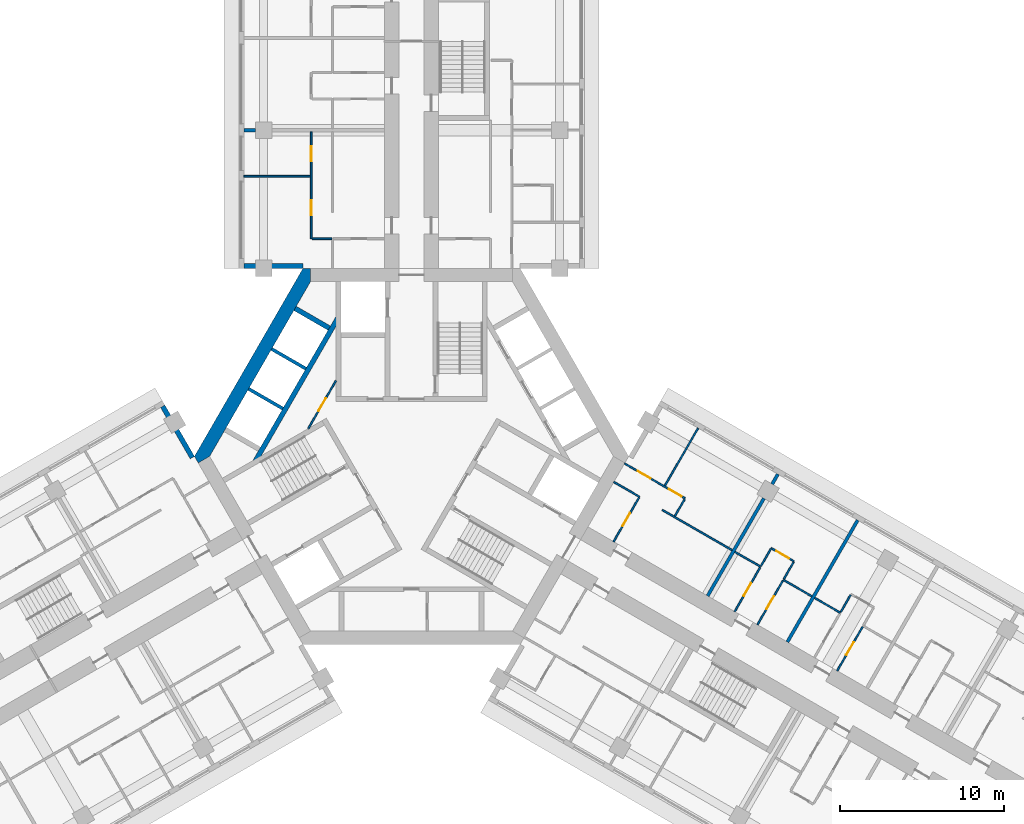
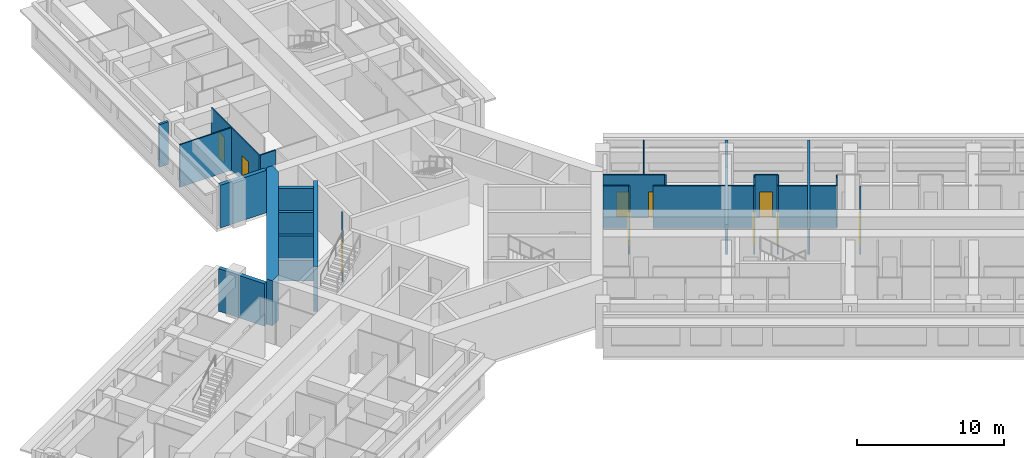
# One storey, part 7 of 14: 31 walls, 10 doors, 10 openings.
"""IFC4 building model written with IfcOpenShell, lengths in metres."""

from ifc_helpers import new_model, si_unit, direction, frame, frame_2d, origin, place, context, subcontext, project, spatial, polyline, rectangle, outline, extrude, material, layer, layer_set, type_object, element, fill, save


model = new_model("IFC4")

# Units and contexts
model_context = context("Model", 3, precision=1e-05, world=origin(), true_north=direction((0.0, 1.0)))
body_context = subcontext(model_context, "Body", "Model", "MODEL_VIEW")
ifc_project = project(units=[si_unit("LENGTHUNIT", "METRE"), si_unit("AREAUNIT", "SQUARE_METRE"), si_unit("VOLUMEUNIT", "CUBIC_METRE"), si_unit("PLANEANGLEUNIT", "RADIAN"), si_unit("MASSUNIT", "GRAM", prefix="KILO")], contexts=[model_context])

# Site, building, storey
site_placement = place(None, origin())
site = spatial("IfcSite", under=ifc_project, at=site_placement, CompositionType="ELEMENT")
building_placement = place(site_placement, origin())
building = spatial("IfcBuilding", under=site, at=building_placement, Name="Impinga Residences", CompositionType="ELEMENT")
storey_placement = place(building_placement, frame((0.0, 0.0, 143.5)))
storey = spatial("IfcBuildingStorey", under=building, at=storey_placement, Name="L35", CompositionType="ELEMENT", Elevation=143.5)

# Wall, opening, door
ifc_material_1 = material(Name="Concrete blockwork", Category="masonry")
ifc_layer_1 = layer(ifc_material_1, 0.10009765625)
ifc_layer_set_1 = layer_set([ifc_layer_1], Name="CP1 core room partition, blockwork 100")
wall_type_1 = type_object("IfcWallType", Name="CP1 core room partition, blockwork 100", PredefinedType="PARTITIONING", material=ifc_layer_set_1)
wall_1_placement = place(storey_placement, frame((-6.280029296875, 1.685791015625, 0.0), z_axis=(0.0, 0.0, 1.0), x_axis=(0.499976138585, 0.866039179741, 0.0)))
wall_1 = element("IfcWall", 1, at=wall_1_placement, inside=storey, type_object=wall_type_1, Name="Core room partition, blockwork L35:CORE:high:FP", PredefinedType="PARTITIONING", context=body_context, shape_type="SweptSolid", body=[
    extrude(rectangle(XDim=3.360107421875, YDim=0.10009765625, at=frame_2d((1.68017578125, 0.0))), origin(), (0.0, 0.0, 1.0), 3.530029296875),
])
opening_1_placement = place(wall_1_placement, frame((1.22998046875, 0.0, 0.0)))
opening_1 = element("IfcOpeningElement", 2, at=opening_1_placement, cuts=wall_1, Name="Opening D6", PredefinedType="OPENING", context=body_context, shape_type="SweptSolid", body=[
    extrude(rectangle(XDim=0.89990234375, YDim=2.10009765625, at=frame_2d((0.449951171875, 1.050048828125))), frame((0.0, 0.06005859375, 0.0), z_axis=(0.0, -1.0, 0.0), x_axis=(1.0, 0.0, 0.0)), (0.0, 0.0, 1.0), 0.1201171875),
])
ifc_material_2 = material(Name="Timber door set", Category="wood")
door_type_1 = type_object("IfcDoorType", Name="D6 riser and store door 900x2100", OperationType="SINGLE_SWING_LEFT", PredefinedType="DOOR", material=ifc_material_2)
door_1_placement = place(opening_1_placement, origin())
door_1 = element("IfcDoor", 3, at=door_1_placement, inside=storey, type_object=door_type_1, Name="Vending and ice room door", OperationType="SINGLE_SWING_RIGHT", OverallHeight=2.10009765625, OverallWidth=0.89990234375, PredefinedType="DOOR", context=body_context, shape_type="SweptSolid", body=[
    extrude(rectangle(XDim=0.89990234375, YDim=2.10009765625, at=frame_2d((0.449951171875, 1.050048828125))), frame((0.0, 0.02490234375, 0.0), z_axis=(0.0, -1.0, 0.0), x_axis=(1.0, 0.0, 0.0)), (0.0, 0.0, 1.0), 0.050048828125),
])
fill(opening_1, door_1)

# Walls
ifc_material_3 = material(Name="Terracotta rainscreen on blockwork", Category="masonry")
ifc_layer_2 = layer(ifc_material_3, 0.300048828125)
ifc_layer_set_2 = layer_set([ifc_layer_2], Name="EW1 external wall, terracotta rainscreen on blockwork 300")
wall_type_2 = type_object("IfcWallType", Name="EW1 external wall, terracotta rainscreen on blockwork 300", PredefinedType="SOLIDWALL", material=ifc_layer_set_2)
wall_2_placement = place(storey_placement, frame((-15.1298828125, 3.042724609375, 0.0), z_axis=(0.0, 0.0, 1.0), x_axis=(0.500012057535, -0.866018442252, 0.0)))
element("IfcWall", 4, at=wall_2_placement, inside=storey, type_object=wall_type_2, Name="External wall EW1 L35", PredefinedType="SOLIDWALL", context=body_context, shape_type="SweptSolid", body=[
    extrude(rectangle(XDim=3.60009765625, YDim=0.300048828125, at=frame_2d((1.800048828125, 0.0))), origin(), (0.0, 0.0, 1.0), 3.530029296875),
])
wall_3_placement = place(storey_placement, frame((-6.60009765625, 11.58154296875, 0.0), z_axis=(0.0, 0.0, 1.0), x_axis=(-1.0, 0.0, 0.0)))
element("IfcWall", 5, at=wall_3_placement, inside=storey, type_object=wall_type_2, Name="External wall EW1 L35", PredefinedType="SOLIDWALL", context=body_context, shape_type="SweptSolid", body=[
    extrude(rectangle(XDim=3.599853515625, YDim=0.300048828125, at=frame_2d((1.7998046875, 0.0))), origin(), (0.0, 0.0, 1.0), 3.530029296875),
])

# Wall, openings, doors
ifc_material_4 = material(Name="Gypsum board on steel studs", Category="steel")
ifc_layer_3 = layer(ifc_material_4, 0.10009765625)
ifc_layer_set_3 = layer_set([ifc_layer_3], Name="Gypsum board on steel studs")
wall_type_3 = type_object("IfcWallType", Name="IP1 partition 100", PredefinedType="PARTITIONING", material=ifc_layer_set_3)
wall_4_placement = place(storey_placement, frame((-6.10009765625, 13.2314453125, 0.0), z_axis=(0.0, 0.0, 1.0), x_axis=(0.0, 1.0, 0.0)))
wall_4 = element("IfcWall", 6, at=wall_4_placement, inside=storey, type_object=wall_type_3, Name="Partition L35-NA1:STRIP", PredefinedType="PARTITIONING", context=body_context, shape_type="SweptSolid", body=[
    extrude(rectangle(XDim=6.5, YDim=0.10009765625, at=frame_2d((3.25, 0.0))), origin(), (0.0, 0.0, 1.0), 3.530029296875),
])
opening_2_placement = place(wall_4_placement, frame((1.425048828125, 0.0, 0.0)))
opening_2 = element("IfcOpeningElement", 7, at=opening_2_placement, cuts=wall_4, Name="Opening D2", PredefinedType="OPENING", context=body_context, shape_type="SweptSolid", body=[
    extrude(rectangle(XDim=0.89990234375, YDim=2.10009765625, at=frame_2d((0.449951171875, 1.050048828125))), frame((0.0, 0.06005859375, 0.0), z_axis=(0.0, -1.0, 0.0), x_axis=(1.0, 0.0, 0.0)), (0.0, 0.0, 1.0), 0.1201171875),
])
opening_3_placement = place(wall_4_placement, frame((4.72509765625, 0.0, 0.0)))
opening_3 = element("IfcOpeningElement", 8, at=opening_3_placement, cuts=wall_4, Name="Opening D2", PredefinedType="OPENING", context=body_context, shape_type="SweptSolid", body=[
    extrude(rectangle(XDim=0.89990234375, YDim=2.10009765625, at=frame_2d((0.449951171875, 1.050048828125))), frame((0.0, 0.06005859375, 0.0), z_axis=(0.0, -1.0, 0.0), x_axis=(1.0, 0.0, 0.0)), (0.0, 0.0, 1.0), 0.1201171875),
])
door_type_2 = type_object("IfcDoorType", Name="D2 internal door 900x2100", OperationType="SINGLE_SWING_LEFT", PredefinedType="DOOR", material=ifc_material_2)
door_2_placement = place(opening_2_placement, origin())
door_2 = element("IfcDoor", 9, at=door_2_placement, inside=storey, type_object=door_type_2, Name="Apartment L35-NA1 room door", OperationType="SINGLE_SWING_LEFT", OverallHeight=2.10009765625, OverallWidth=0.89990234375, PredefinedType="DOOR", context=body_context, shape_type="SweptSolid", body=[
    extrude(rectangle(XDim=0.89990234375, YDim=2.10009765625, at=frame_2d((0.449951171875, 1.050048828125))), frame((0.0, 0.02490234375, 0.0), z_axis=(0.0, -1.0, 0.0), x_axis=(1.0, 0.0, 0.0)), (0.0, 0.0, 1.0), 0.050048828125),
])
fill(opening_2, door_2)
door_3_placement = place(opening_3_placement, origin())
door_3 = element("IfcDoor", 10, at=door_3_placement, inside=storey, type_object=door_type_2, Name="Apartment L35-NA1 room door", OperationType="SINGLE_SWING_RIGHT", OverallHeight=2.10009765625, OverallWidth=0.89990234375, PredefinedType="DOOR", context=body_context, shape_type="SweptSolid", body=[
    extrude(rectangle(XDim=0.89990234375, YDim=2.10009765625, at=frame_2d((0.449951171875, 1.050048828125))), frame((0.0, 0.02490234375, 0.0), z_axis=(0.0, -1.0, 0.0), x_axis=(1.0, 0.0, 0.0)), (0.0, 0.0, 1.0), 0.050048828125),
])
fill(opening_3, door_3)

# Walls
wall_5_placement = place(storey_placement, frame((-4.85009765625, 13.2314453125, 0.0), z_axis=(0.0, 0.0, 1.0), x_axis=(-1.0, 0.0, 0.0)))
element("IfcWall", 11, at=wall_5_placement, inside=storey, type_object=wall_type_3, Name="Partition L35-NA1:SE0", PredefinedType="PARTITIONING", context=body_context, shape_type="SweptSolid", body=[
    extrude(rectangle(XDim=1.199951171875, YDim=0.10009765625, at=frame_2d((0.60009765625, 0.0))), origin(), (0.0, 0.0, 1.0), 3.530029296875),
])
wall_6_placement = place(storey_placement, frame((-6.14990234375, 17.031494140625, 0.0), z_axis=(0.0, 0.0, 1.0), x_axis=(-1.0, 0.0, 0.0)))
element("IfcWall", 12, at=wall_6_placement, inside=storey, type_object=wall_type_3, Name="Partition L35-NA1:OB1", PredefinedType="PARTITIONING", context=body_context, shape_type="SweptSolid", body=[
    extrude(rectangle(XDim=4.050048828125, YDim=0.10009765625, at=frame_2d((2.02490234375, 0.0))), origin(), (0.0, 0.0, 1.0), 3.530029296875),
])
wall_7_placement = place(storey_placement, frame((12.300048828125, -1.558837890625, 0.0), z_axis=(0.0, 0.0, 1.0), x_axis=(0.866047807691, -0.499961193289, 0.0)))
element("IfcWall", 13, at=wall_7_placement, inside=storey, type_object=wall_type_3, Name="Partition L35-EA1:DIV0", PredefinedType="PARTITIONING", context=body_context, shape_type="SweptSolid", body=[
    extrude(rectangle(XDim=1.800048828125, YDim=0.10009765625, at=frame_2d((0.89990234375, 0.0))), origin(), (0.0, 0.0, 1.0), 3.530029296875),
])
wall_8_placement = place(storey_placement, frame((15.244384765625, -3.2587890625, 0.0), z_axis=(0.0, 0.0, 1.0), x_axis=(0.866036242063, -0.49998122708, 0.0)))
element("IfcWall", 14, at=wall_8_placement, inside=storey, type_object=wall_type_3, Name="Partition L35-EA1:DIV1", PredefinedType="PARTITIONING", context=body_context, shape_type="SweptSolid", body=[
    extrude(rectangle(XDim=4.900146484375, YDim=0.10009765625, at=frame_2d((2.4501953125, 0.0))), origin(), (0.0, 0.0, 1.0), 3.530029296875),
])

# Wall, openings, doors
wall_9_placement = place(storey_placement, frame((12.949951171875, -0.43310546875, 0.0), z_axis=(0.0, 0.0, 1.0), x_axis=(0.866028703517, -0.499994284652, 0.0)))
wall_9 = element("IfcWall", 15, at=wall_9_placement, inside=storey, type_object=wall_type_3, Name="Partition L35-EA1:STRIP", PredefinedType="PARTITIONING", context=body_context, shape_type="SweptSolid", body=[
    extrude(rectangle(XDim=4.25, YDim=0.10009765625, at=frame_2d((2.125, 0.0))), origin(), (0.0, 0.0, 1.0), 3.530029296875),
])
opening_4_placement = place(wall_9_placement, frame((0.925048828125, 0.0, 0.0)))
opening_4 = element("IfcOpeningElement", 16, at=opening_4_placement, cuts=wall_9, Name="Opening D2", PredefinedType="OPENING", context=body_context, shape_type="SweptSolid", body=[
    extrude(rectangle(XDim=0.89990234375, YDim=2.10009765625, at=frame_2d((0.449951171875, 1.050048828125))), frame((0.0, 0.06005859375, 0.0), z_axis=(0.0, -1.0, 0.0), x_axis=(1.0, 0.0, 0.0)), (0.0, 0.0, 1.0), 0.1201171875),
])
opening_5_placement = place(wall_9_placement, frame((3.10009765625, 0.0, 0.0)))
opening_5 = element("IfcOpeningElement", 17, at=opening_5_placement, cuts=wall_9, Name="Opening D2", PredefinedType="OPENING", context=body_context, shape_type="SweptSolid", body=[
    extrude(rectangle(XDim=0.89990234375, YDim=2.10009765625, at=frame_2d((0.449951171875, 1.050048828125))), frame((0.0, 0.06005859375, 0.0), z_axis=(0.0, -1.0, 0.0), x_axis=(1.0, 0.0, 0.0)), (0.0, 0.0, 1.0), 0.1201171875),
])
door_4_placement = place(opening_4_placement, origin())
door_4 = element("IfcDoor", 18, at=door_4_placement, inside=storey, type_object=door_type_2, Name="Apartment L35-EA1 room door", OperationType="SINGLE_SWING_LEFT", OverallHeight=2.10009765625, OverallWidth=0.89990234375, PredefinedType="DOOR", context=body_context, shape_type="SweptSolid", body=[
    extrude(rectangle(XDim=0.89990234375, YDim=2.10009765625, at=frame_2d((0.449951171875, 1.050048828125))), frame((0.0, 0.02490234375, 0.0), z_axis=(0.0, -1.0, 0.0), x_axis=(1.0, 0.0, 0.0)), (0.0, 0.0, 1.0), 0.050048828125),
])
fill(opening_4, door_4)
door_5_placement = place(opening_5_placement, origin())
door_5 = element("IfcDoor", 19, at=door_5_placement, inside=storey, type_object=door_type_2, Name="Apartment L35-EA1 room door", OperationType="SINGLE_SWING_RIGHT", OverallHeight=2.10009765625, OverallWidth=0.89990234375, PredefinedType="DOOR", context=body_context, shape_type="SweptSolid", body=[
    extrude(rectangle(XDim=0.89990234375, YDim=2.10009765625, at=frame_2d((0.449951171875, 1.050048828125))), frame((0.0, 0.02490234375, 0.0), z_axis=(0.0, -1.0, 0.0), x_axis=(1.0, 0.0, 0.0)), (0.0, 0.0, 1.0), 0.050048828125),
])
fill(opening_5, door_5)

# Wall
wall_10_placement = place(storey_placement, frame((16.005615234375, -3.640625, 0.0), z_axis=(0.0, 0.0, 1.0), x_axis=(0.500033551112, 0.866006032174, 0.0)))
element("IfcWall", 20, at=wall_10_placement, inside=storey, type_object=wall_type_3, Name="Partition L35-EA1:SE1", PredefinedType="PARTITIONING", context=body_context, shape_type="SweptSolid", body=[
    extrude(rectangle(XDim=1.2001953125, YDim=0.10009765625, at=frame_2d((0.60009765625, 0.0))), origin(), (0.0, 0.0, 1.0), 3.530029296875),
])

# Wall, opening, door
wall_11_placement = place(storey_placement, frame((12.283935546875, -5.186767578125, 0.0), z_axis=(0.0, 0.0, 1.0), x_axis=(0.499967891604, 0.866043940782, 0.0)))
wall_11 = element("IfcWall", 21, at=wall_11_placement, inside=storey, type_object=wall_type_3, Name="Partition L35-EA1:IB1", PredefinedType="PARTITIONING", context=body_context, shape_type="SweptSolid", body=[
    extrude(rectangle(XDim=3.099853515625, YDim=0.10009765625, at=frame_2d((1.5498046875, 0.0))), origin(), (0.0, 0.0, 1.0), 3.530029296875),
])
opening_6_placement = place(wall_11_placement, frame((1.10009765625, 0.0, 0.0)))
opening_6 = element("IfcOpeningElement", 22, at=opening_6_placement, cuts=wall_11, Name="Opening D2", PredefinedType="OPENING", context=body_context, shape_type="SweptSolid", body=[
    extrude(rectangle(XDim=0.89990234375, YDim=2.10009765625, at=frame_2d((0.449951171875, 1.050048828125))), frame((0.0, 0.06005859375, 0.0), z_axis=(0.0, -1.0, 0.0), x_axis=(1.0, 0.0, 0.0)), (0.0, 0.0, 1.0), 0.1201171875),
])
door_6_placement = place(opening_6_placement, origin())
door_6 = element("IfcDoor", 23, at=door_6_placement, inside=storey, type_object=door_type_2, Name="Apartment L35-EA1 bathroom door", OperationType="SINGLE_SWING_LEFT", OverallHeight=2.10009765625, OverallWidth=0.89990234375, PredefinedType="DOOR", context=body_context, shape_type="SweptSolid", body=[
    extrude(rectangle(XDim=0.89990234375, YDim=2.10009765625, at=frame_2d((0.449951171875, 1.050048828125))), frame((0.0, 0.02490234375, 0.0), z_axis=(0.0, -1.0, 0.0), x_axis=(1.0, 0.0, 0.0)), (0.0, 0.0, 1.0), 0.050048828125),
])
fill(opening_6, door_6)

# Walls
wall_12_placement = place(storey_placement, frame((15.39990234375, -1.789794921875, 0.0), z_axis=(0.0, 0.0, 1.0), x_axis=(0.499964223975, 0.866046058097, 0.0)))
element("IfcWall", 24, at=wall_12_placement, inside=storey, type_object=wall_type_3, Name="Partition L35-EA1:OB1", PredefinedType="PARTITIONING", context=body_context, shape_type="SweptSolid", body=[
    extrude(rectangle(XDim=4.050048828125, YDim=0.10009765625, at=frame_2d((2.02490234375, 0.0))), origin(), (0.0, 0.0, 1.0), 3.530029296875),
])
wall_13_placement = place(storey_placement, frame((19.6611328125, -5.808837890625, 0.0), z_axis=(0.0, 0.0, 1.0), x_axis=(0.866047807691, -0.499961193289, 0.0)))
element("IfcWall", 25, at=wall_13_placement, inside=storey, type_object=wall_type_3, Name="Partition L35-EA2:DIV0", PredefinedType="PARTITIONING", context=body_context, shape_type="SweptSolid", body=[
    extrude(rectangle(XDim=1.800048828125, YDim=0.10009765625, at=frame_2d((0.89990234375, 0.0))), origin(), (0.0, 0.0, 1.0), 3.530029296875),
])
wall_14_placement = place(storey_placement, frame((22.605712890625, -7.5087890625, 0.0), z_axis=(0.0, 0.0, 1.0), x_axis=(0.866010750942, -0.50002537861, 0.0)))
element("IfcWall", 26, at=wall_14_placement, inside=storey, type_object=wall_type_3, Name="Partition L35-EA2:DIV1", PredefinedType="PARTITIONING", context=body_context, shape_type="SweptSolid", body=[
    extrude(rectangle(XDim=2.0, YDim=0.10009765625, at=frame_2d((1.0, 0.0))), origin(), (0.0, 0.0, 1.0), 3.530029296875),
])

# Wall, opening, door
wall_15_placement = place(storey_placement, frame((21.8701171875, -5.5830078125, 0.0), z_axis=(0.0, 0.0, 1.0), x_axis=(0.865989903783, -0.500061482766, 0.0)))
wall_15 = element("IfcWall", 27, at=wall_15_placement, inside=storey, type_object=wall_type_3, Name="Partition L35-EA2:STRIP", PredefinedType="PARTITIONING", context=body_context, shape_type="SweptSolid", body=[
    extrude(rectangle(XDim=1.599853515625, YDim=0.10009765625, at=frame_2d((0.7998046875, 0.0))), origin(), (0.0, 0.0, 1.0), 3.530029296875),
])
opening_7_placement = place(wall_15_placement, frame((0.35009765625, 0.0, 0.0)))
opening_7 = element("IfcOpeningElement", 28, at=opening_7_placement, cuts=wall_15, Name="Opening D2", PredefinedType="OPENING", context=body_context, shape_type="SweptSolid", body=[
    extrude(rectangle(XDim=0.89990234375, YDim=2.10009765625, at=frame_2d((0.449951171875, 1.050048828125))), frame((0.0, 0.06005859375, 0.0), z_axis=(0.0, -1.0, 0.0), x_axis=(1.0, 0.0, 0.0)), (0.0, 0.0, 1.0), 0.1201171875),
])
door_7_placement = place(opening_7_placement, origin())
door_7 = element("IfcDoor", 29, at=door_7_placement, inside=storey, type_object=door_type_2, Name="Apartment L35-EA2 room door", OperationType="SINGLE_SWING_LEFT", OverallHeight=2.10009765625, OverallWidth=0.89990234375, PredefinedType="DOOR", context=body_context, shape_type="SweptSolid", body=[
    extrude(rectangle(XDim=0.89990234375, YDim=2.10009765625, at=frame_2d((0.449951171875, 1.050048828125))), frame((0.0, 0.02490234375, 0.0), z_axis=(0.0, -1.0, 0.0), x_axis=(1.0, 0.0, 0.0)), (0.0, 0.0, 1.0), 0.050048828125),
])
fill(opening_7, door_7)

# Walls
wall_16_placement = place(storey_placement, frame((21.2451171875, -6.66552734375, 0.0), z_axis=(0.0, 0.0, 1.0), x_axis=(0.499880961361, 0.866094119867, 0.0)))
element("IfcWall", 30, at=wall_16_placement, inside=storey, type_object=wall_type_3, Name="Partition L35-EA2:SE0", PredefinedType="PARTITIONING", context=body_context, shape_type="SweptSolid", body=[
    extrude(rectangle(XDim=1.199951171875, YDim=0.10009765625, at=frame_2d((0.60009765625, 0.0))), origin(), (0.0, 0.0, 1.0), 3.530029296875),
])
wall_17_placement = place(storey_placement, frame((22.630615234375, -7.465576171875, 0.0), z_axis=(0.0, 0.0, 1.0), x_axis=(0.500033551112, 0.866006032174, 0.0)))
element("IfcWall", 31, at=wall_17_placement, inside=storey, type_object=wall_type_3, Name="Partition L35-EA2:SE1", PredefinedType="PARTITIONING", context=body_context, shape_type="SweptSolid", body=[
    extrude(rectangle(XDim=1.2001953125, YDim=0.10009765625, at=frame_2d((0.60009765625, 0.0))), origin(), (0.0, 0.0, 1.0), 3.530029296875),
])

# Wall, opening, door
wall_18_placement = place(storey_placement, frame((19.64501953125, -9.436767578125, 0.0), z_axis=(0.0, 0.0, 1.0), x_axis=(0.500026960575, 0.86600983753, 0.0)))
wall_18 = element("IfcWall", 32, at=wall_18_placement, inside=storey, type_object=wall_type_3, Name="Partition L35-EA2:IB1", PredefinedType="PARTITIONING", context=body_context, shape_type="SweptSolid", body=[
    extrude(rectangle(XDim=3.099853515625, YDim=0.10009765625, at=frame_2d((1.5498046875, 0.0))), origin(), (0.0, 0.0, 1.0), 3.530029296875),
])
opening_8_placement = place(wall_18_placement, frame((1.10009765625, 0.0, 0.0)))
opening_8 = element("IfcOpeningElement", 33, at=opening_8_placement, cuts=wall_18, Name="Opening D2", PredefinedType="OPENING", context=body_context, shape_type="SweptSolid", body=[
    extrude(rectangle(XDim=0.89990234375, YDim=2.10009765625, at=frame_2d((0.449951171875, 1.050048828125))), frame((0.0, 0.06005859375, 0.0), z_axis=(0.0, -1.0, 0.0), x_axis=(1.0, 0.0, 0.0)), (0.0, 0.0, 1.0), 0.1201171875),
])
door_8_placement = place(opening_8_placement, origin())
door_8 = element("IfcDoor", 34, at=door_8_placement, inside=storey, type_object=door_type_2, Name="Apartment L35-EA2 bathroom door", OperationType="SINGLE_SWING_LEFT", OverallHeight=2.10009765625, OverallWidth=0.89990234375, PredefinedType="DOOR", context=body_context, shape_type="SweptSolid", body=[
    extrude(rectangle(XDim=0.89990234375, YDim=2.10009765625, at=frame_2d((0.449951171875, 1.050048828125))), frame((0.0, 0.02490234375, 0.0), z_axis=(0.0, -1.0, 0.0), x_axis=(1.0, 0.0, 0.0)), (0.0, 0.0, 1.0), 0.050048828125),
])
fill(opening_8, door_8)

wall_19_placement = place(storey_placement, frame((21.03076171875, -10.23681640625, 0.0), z_axis=(0.0, 0.0, 1.0), x_axis=(0.500026960575, 0.86600983753, 0.0)))
wall_19 = element("IfcWall", 35, at=wall_19_placement, inside=storey, type_object=wall_type_3, Name="Partition L35-EA2:IB2", PredefinedType="PARTITIONING", context=body_context, shape_type="SweptSolid", body=[
    extrude(rectangle(XDim=3.099853515625, YDim=0.10009765625, at=frame_2d((1.5498046875, 0.0))), origin(), (0.0, 0.0, 1.0), 3.530029296875),
])
opening_9_placement = place(wall_19_placement, frame((1.10009765625, 0.0, 0.0)))
opening_9 = element("IfcOpeningElement", 36, at=opening_9_placement, cuts=wall_19, Name="Opening D2", PredefinedType="OPENING", context=body_context, shape_type="SweptSolid", body=[
    extrude(rectangle(XDim=0.89990234375, YDim=2.10009765625, at=frame_2d((0.449951171875, 1.050048828125))), frame((0.0, 0.06005859375, 0.0), z_axis=(0.0, -1.0, 0.0), x_axis=(1.0, 0.0, 0.0)), (0.0, 0.0, 1.0), 0.1201171875),
])
door_9_placement = place(opening_9_placement, origin())
door_9 = element("IfcDoor", 37, at=door_9_placement, inside=storey, type_object=door_type_2, Name="Apartment L35-EA2 WC door", OperationType="SINGLE_SWING_LEFT", OverallHeight=2.10009765625, OverallWidth=0.89990234375, PredefinedType="DOOR", context=body_context, shape_type="SweptSolid", body=[
    extrude(rectangle(XDim=0.89990234375, YDim=2.10009765625, at=frame_2d((0.449951171875, 1.050048828125))), frame((0.0, 0.02490234375, 0.0), z_axis=(0.0, -1.0, 0.0), x_axis=(1.0, 0.0, 0.0)), (0.0, 0.0, 1.0), 0.050048828125),
])
fill(opening_9, door_9)

# Walls
wall_20_placement = place(storey_placement, frame((24.510986328125, -8.60888671875, 0.0), z_axis=(0.0, 0.0, 1.0), x_axis=(0.866047807691, -0.499961193289, 0.0)))
element("IfcWall", 38, at=wall_20_placement, inside=storey, type_object=wall_type_3, Name="Partition L35-EA3:DIV0", PredefinedType="PARTITIONING", context=body_context, shape_type="SweptSolid", body=[
    extrude(rectangle(XDim=1.800048828125, YDim=0.10009765625, at=frame_2d((0.89990234375, 0.0))), origin(), (0.0, 0.0, 1.0), 3.530029296875),
])
wall_21_placement = place(storey_placement, frame((26.0947265625, -9.465576171875, 0.0), z_axis=(0.0, 0.0, 1.0), x_axis=(0.500033551112, 0.866006032174, 0.0)))
element("IfcWall", 39, at=wall_21_placement, inside=storey, type_object=wall_type_3, Name="Partition L35-EA3:SE0", PredefinedType="PARTITIONING", context=body_context, shape_type="SweptSolid", body=[
    extrude(rectangle(XDim=1.2001953125, YDim=0.10009765625, at=frame_2d((0.60009765625, 0.0))), origin(), (0.0, 0.0, 1.0), 3.530029296875),
])

# Wall, opening, door
wall_22_placement = place(storey_placement, frame((25.88037109375, -13.036865234375, 0.0), z_axis=(0.0, 0.0, 1.0), x_axis=(0.49999285859, 0.86602952684, 0.0)))
wall_22 = element("IfcWall", 40, at=wall_22_placement, inside=storey, type_object=wall_type_3, Name="Partition L35-EA3:IB2", PredefinedType="PARTITIONING", context=body_context, shape_type="SweptSolid", body=[
    extrude(rectangle(XDim=3.10009765625, YDim=0.10009765625, at=frame_2d((1.550048828125, 0.0))), origin(), (0.0, 0.0, 1.0), 3.530029296875),
])
opening_10_placement = place(wall_22_placement, frame((1.10009765625, 0.0, 0.0)))
opening_10 = element("IfcOpeningElement", 41, at=opening_10_placement, cuts=wall_22, Name="Opening D2", PredefinedType="OPENING", context=body_context, shape_type="SweptSolid", body=[
    extrude(rectangle(XDim=0.89990234375, YDim=2.10009765625, at=frame_2d((0.449951171875, 1.050048828125))), frame((0.0, 0.06005859375, 0.0), z_axis=(0.0, -1.0, 0.0), x_axis=(1.0, 0.0, 0.0)), (0.0, 0.0, 1.0), 0.1201171875),
])
door_10_placement = place(opening_10_placement, origin())
door_10 = element("IfcDoor", 42, at=door_10_placement, inside=storey, type_object=door_type_2, Name="Apartment L35-EA3 WC door", OperationType="SINGLE_SWING_LEFT", OverallHeight=2.10009765625, OverallWidth=0.89990234375, PredefinedType="DOOR", context=body_context, shape_type="SweptSolid", body=[
    extrude(rectangle(XDim=0.89990234375, YDim=2.10009765625, at=frame_2d((0.449951171875, 1.050048828125))), frame((0.0, 0.02490234375, 0.0), z_axis=(0.0, -1.0, 0.0), x_axis=(1.0, 0.0, 0.0)), (0.0, 0.0, 1.0), 0.050048828125),
])
fill(opening_10, door_10)

# Walls
ifc_layer_4 = layer(ifc_material_1, 0.199951171875)
ifc_layer_set_4 = layer_set([ifc_layer_4], Name="PW1 party wall between apartments 200")
wall_type_4 = type_object("IfcWallType", Name="PW1 party wall between apartments 200", PredefinedType="SOLIDWALL", material=ifc_layer_set_4)
wall_23_placement = place(storey_placement, frame((-9.5, 19.83154296875, 0.0), z_axis=(0.0, 0.0, 1.0), x_axis=(-1.0, 0.0, 0.0)))
element("IfcWall", 43, at=wall_23_placement, inside=storey, type_object=wall_type_4, Name="Party wall between apartments L35-NA1:PARTYb", PredefinedType="SOLIDWALL", context=body_context, shape_type="SweptSolid", body=[
    extrude(rectangle(XDim=0.699951171875, YDim=0.199951171875, at=frame_2d((0.35009765625, 0.0))), origin(), (0.0, 0.0, 1.0), 3.530029296875),
])
wall_24_placement = place(storey_placement, frame((17.99951171875, -8.48681640625, 0.0), z_axis=(0.0, 0.0, 1.0), x_axis=(0.499999086063, 0.866025931445, 0.0)))
element("IfcWall", 44, at=wall_24_placement, inside=storey, type_object=wall_type_4, Name="Party wall between apartments L35-EA1:PARTY", PredefinedType="SOLIDWALL", context=body_context, shape_type="SweptSolid", body=[
    extrude(rectangle(XDim=6.85009765625, YDim=0.199951171875, at=frame_2d((3.425048828125, 0.0))), origin(), (0.0, 0.0, 1.0), 2.47998046875),
])
wall_25_placement = place(storey_placement, frame((21.924560546875, -1.6884765625, 0.0), z_axis=(0.0, 0.0, 1.0), x_axis=(0.500114896893, 0.865959057869, 0.0)))
element("IfcWall", 45, at=wall_25_placement, inside=storey, type_object=wall_type_4, Name="Party wall between apartments L35-EA1:PARTYb", PredefinedType="SOLIDWALL", context=body_context, shape_type="SweptSolid", body=[
    extrude(rectangle(XDim=0.699951171875, YDim=0.199951171875, at=frame_2d((0.35009765625, 0.0))), origin(), (0.0, 0.0, 1.0), 3.530029296875),
])
wall_26_placement = place(storey_placement, frame((22.849365234375, -11.286865234375, 0.0), z_axis=(0.0, 0.0, 1.0), x_axis=(0.499990227581, 0.86603104582, 0.0)))
element("IfcWall", 46, at=wall_26_placement, inside=storey, type_object=wall_type_4, Name="Party wall between apartments L35-EA2:PARTY", PredefinedType="SOLIDWALL", context=body_context, shape_type="SweptSolid", body=[
    extrude(rectangle(XDim=8.550048828125, YDim=0.199951171875, at=frame_2d((4.27490234375, 0.0))), origin(), (0.0, 0.0, 1.0), 3.530029296875),
])
ifc_material_5 = material(Name="Concrete C60/75", Category="concrete")
ifc_layer_5 = layer(ifc_material_5, 0.800048828125)
ifc_layer_set_5 = layer_set([ifc_layer_5], Name="Concrete C60/75")
wall_type_5 = type_object("IfcWallType", Name="SW2 core wall 800", PredefinedType="SHEAR", material=ifc_layer_set_5)
wall_27_placement = place(storey_placement, origin())
element("IfcWall", 47, at=wall_27_placement, inside=storey, type_object=wall_type_5, Name="Core wall SW2 E:EXPOSED L35", PredefinedType="SHEAR", context=body_context, shape_type="SweptSolid", body=[
    extrude(outline(polyline([(-6.60009765625, 11.431640625), (-13.199951171875, 0.0), (-12.968994140625, -0.39990234375), (-12.276123046875, 0.0), (-6.13818359375, 10.631591796875), (-6.13818359375, 11.431640625), (-6.60009765625, 11.431640625)])), origin(), (0.0, 0.0, 1.0), 3.75),
])
ifc_material_6 = material(Name="Concrete C70/85", Category="concrete")
ifc_layer_6 = layer(ifc_material_6, 0.300048828125)
ifc_layer_set_6 = layer_set([ifc_layer_6], Name="Concrete C70/85")
wall_type_6 = type_object("IfcWallType", Name="SW5 core inner wall, stairs, shafts and lobbies 300", PredefinedType="SHEAR", material=ifc_layer_set_6)
wall_28_placement = place(storey_placement, frame((-9.547607421875, -0.3740234375, 0.0), z_axis=(0.0, 0.0, 1.0), x_axis=(0.500002290144, 0.866024081565, 0.0)))
element("IfcWall", 48, at=wall_28_placement, inside=storey, type_object=wall_type_6, Name="Core wall SW5 E:BANK-FRONT L35", PredefinedType="SHEAR", context=body_context, shape_type="SweptSolid", body=[
    extrude(rectangle(XDim=10.1953125, YDim=0.300048828125, at=frame_2d((5.09765625, 0.0))), origin(), (0.0, 0.0, 1.0), 3.75),
])
wall_29_placement = place(storey_placement, frame((-5.003662109375, 7.79638671875, 0.0), z_axis=(0.0, 0.0, 1.0), x_axis=(-0.866050077142, 0.499957262057, 0.0)))
element("IfcWall", 49, at=wall_29_placement, inside=storey, type_object=wall_type_6, Name="Core wall SW5 E:BANK-R L35", PredefinedType="SHEAR", context=body_context, shape_type="SweptSolid", body=[
    extrude(rectangle(XDim=2.400146484375, YDim=0.300048828125, at=frame_2d((1.2001953125, 0.0))), origin(), (0.0, 0.0, 1.0), 3.75),
])
ifc_layer_7 = layer(ifc_material_6, 0.199951171875)
ifc_layer_set_7 = layer_set([ifc_layer_7], Name="Concrete C70/85")
wall_type_7 = type_object("IfcWallType", Name="SW6 lift shaft divider wall 200", PredefinedType="SHEAR", material=ifc_layer_set_7)
wall_30_placement = place(storey_placement, frame((-7.82861328125, 2.9033203125, 0.0), z_axis=(0.0, 0.0, 1.0), x_axis=(-0.866050077142, 0.499957262057, 0.0)))
element("IfcWall", 50, at=wall_30_placement, inside=storey, type_object=wall_type_7, Name="Core wall SW6 E:BANK-D1 L35", PredefinedType="SHEAR", context=body_context, shape_type="SweptSolid", body=[
    extrude(rectangle(XDim=2.400146484375, YDim=0.199951171875, at=frame_2d((1.2001953125, 0.0))), origin(), (0.0, 0.0, 1.0), 3.75),
])
wall_31_placement = place(storey_placement, frame((-6.4287109375, 5.328125, 0.0), z_axis=(0.0, 0.0, 1.0), x_axis=(-0.865980596518, 0.500077600433, 0.0)))
element("IfcWall", 51, at=wall_31_placement, inside=storey, type_object=wall_type_7, Name="Core wall SW6 E:BANK-D2 L35", PredefinedType="SHEAR", context=body_context, shape_type="SweptSolid", body=[
    extrude(rectangle(XDim=2.39990234375, YDim=0.199951171875, at=frame_2d((1.199951171875, 0.0))), origin(), (0.0, 0.0, 1.0), 3.75),
])

save(model, "model.ifc")
